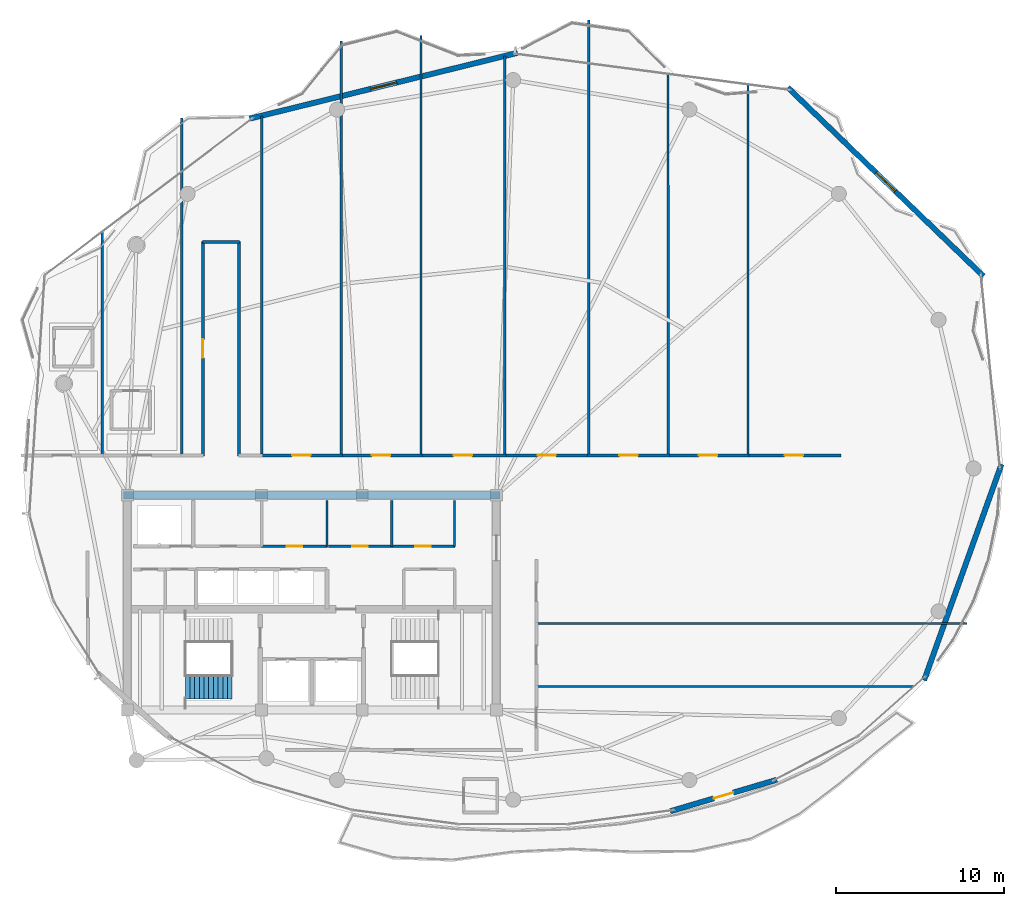
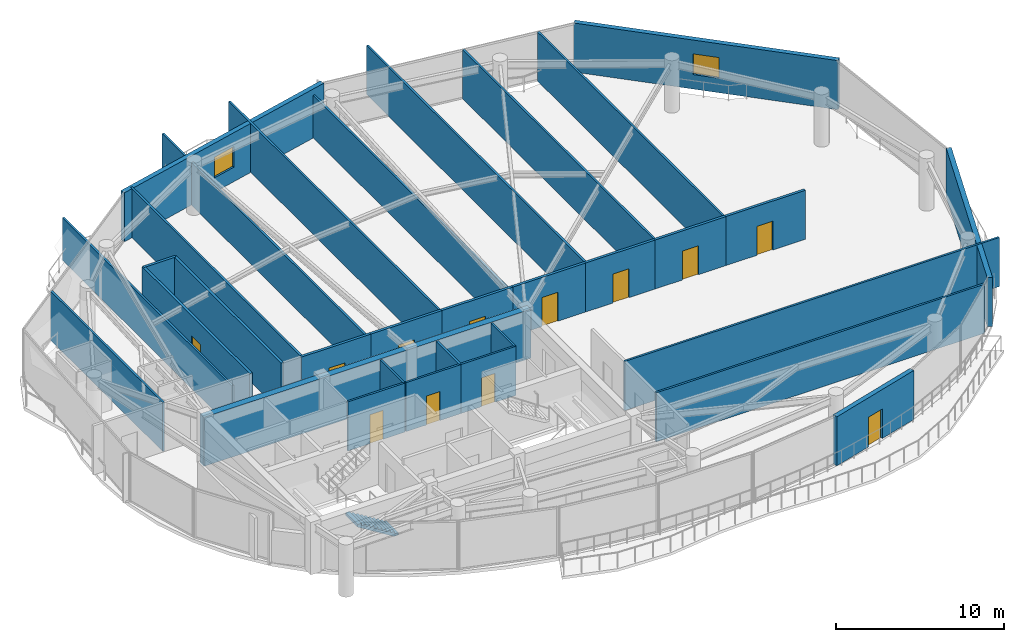
# One storey, part 25 of 29: 32 walls, 12 doors, 2 windows, 1 stair flight, 14 openings, 1 element without a shape of its own.
"""IFC4 building model written with IfcOpenShell, lengths in metres."""

from ifc_helpers import new_model, si_unit, direction, frame, frame_2d, origin, place, context, subcontext, project, spatial, polyline, rectangle, outline, extrude, material, layer, layer_set, type_object, element, fill, aggregate, save


model = new_model("IFC4")

# Units and contexts
model_context = context("Model", 3, precision=1e-05, world=origin(), true_north=direction((0.0, 1.0)))
body_context = subcontext(model_context, "Body", "Model", "MODEL_VIEW")
ifc_project = project(units=[si_unit("LENGTHUNIT", "METRE"), si_unit("AREAUNIT", "SQUARE_METRE"), si_unit("VOLUMEUNIT", "CUBIC_METRE"), si_unit("PLANEANGLEUNIT", "RADIAN"), si_unit("MASSUNIT", "GRAM", prefix="KILO")], contexts=[model_context])

# Site, building, storey
site_placement = place(None, origin())
site = spatial("IfcSite", under=ifc_project, at=site_placement, CompositionType="ELEMENT")
building_placement = place(site_placement, origin())
building = spatial("IfcBuilding", under=site, at=building_placement, Name="Kazevale Care Tower and Concert Hall", CompositionType="ELEMENT")
storey_placement = place(building_placement, frame((0.0, 0.0, 262.39990234375)))
storey = spatial("IfcBuildingStorey", under=building, at=storey_placement, Name="L69", CompositionType="ELEMENT", Elevation=262.39990234375)

# Wall, opening, door
ifc_material_1 = material(Name="Acoustic Gypsum on Steel Stud", Category="steel")
ifc_layer_1 = layer(ifc_material_1, 0.139892578125)
ifc_layer_set_1 = layer_set([ifc_layer_1], Name="Acoustic Gypsum on Steel Stud")
wall_type_1 = type_object("IfcWallType", Name="Acoustic Care & Suite Partition 140", PredefinedType="PARTITIONING", material=ifc_layer_set_1)
wall_1_placement = place(storey_placement, frame((30.0, 33.35009765625, 0.0), z_axis=(0.0, 0.0, 1.0), x_axis=(1.0, 0.0, 0.0)))
wall_1 = element("IfcWall", 1, at=wall_1_placement, inside=storey, type_object=wall_type_1, Name="wall:L69:c_rpl2_s", PredefinedType="PARTITIONING", context=body_context, shape_type="SweptSolid", body=[
    extrude(rectangle(XDim=3.919921875, YDim=0.139892578125, at=frame_2d((1.9599609375, 0.0))), origin(), (0.0, 0.0, 1.0), 3.56005859375),
])
opening_1_placement = place(wall_1_placement, frame((1.5, 0.0, 0.0)))
opening_1 = element("IfcOpeningElement", 2, at=opening_1_placement, cuts=wall_1, Name="Opening ID-900", PredefinedType="OPENING", context=body_context, shape_type="SweptSolid", body=[
    extrude(rectangle(XDim=0.919921875, YDim=2.10009765625, at=frame_2d((0.4599609375, 1.050048828125))), frame((0.0, 0.079833984375, 0.0), z_axis=(0.0, -1.0, 0.0), x_axis=(1.0, 0.0, 0.0)), (0.0, 0.0, 1.0), 0.159912109375),
])
ifc_material_2 = material(Name="Oak Timber Fire Leaf", Category="wood")
door_type_1 = type_object("IfcDoorType", Name="Bathroom & Service Door 920x2100", OperationType="NOTDEFINED", PredefinedType="DOOR", material=ifc_material_2)
door_1_placement = place(opening_1_placement, origin())
door_1 = element("IfcDoor", 3, at=door_1_placement, inside=storey, type_object=door_type_1, Name="door:L69:d_rpl2", OperationType="SINGLE_SWING_RIGHT", OverallHeight=2.10009765625, OverallWidth=0.919921875, PredefinedType="DOOR", context=body_context, shape_type="SweptSolid", body=[
    extrude(rectangle(XDim=0.919921875, YDim=2.10009765625, at=frame_2d((0.4599609375, 1.050048828125))), frame((0.0, 0.02490234375, 0.0), z_axis=(0.0, -1.0, 0.0), x_axis=(1.0, 0.0, 0.0)), (0.0, 0.0, 1.0), 0.050048828125),
])
fill(opening_1, door_1)

# Wall
wall_2_placement = place(storey_placement, frame((33.89990234375, 33.35009765625, 0.0), z_axis=(0.0, 0.0, 1.0), x_axis=(0.0, 1.0, 0.0)))
element("IfcWall", 4, at=wall_2_placement, inside=storey, type_object=wall_type_1, Name="wall:L69:c_rpl_e", PredefinedType="PARTITIONING", context=body_context, shape_type="SweptSolid", body=[
    extrude(rectangle(XDim=2.75, YDim=0.139892578125, at=frame_2d((1.375, 0.0))), origin(), (0.0, 0.0, 1.0), 3.56005859375),
])

# Wall, opening, door
wall_3_placement = place(storey_placement, frame((33.97998046875, 33.35009765625, 0.0), z_axis=(0.0, 0.0, 1.0), x_axis=(1.0, 0.0, 0.0)))
wall_3 = element("IfcWall", 5, at=wall_3_placement, inside=storey, type_object=wall_type_1, Name="wall:L69:c_rpm1_s", PredefinedType="PARTITIONING", context=body_context, shape_type="SweptSolid", body=[
    extrude(rectangle(XDim=3.77001953125, YDim=0.139892578125, at=frame_2d((1.885009765625, 0.0))), origin(), (0.0, 0.0, 1.0), 3.56005859375),
])
opening_2_placement = place(wall_3_placement, frame((1.425048828125, 0.0, 0.0)))
opening_2 = element("IfcOpeningElement", 6, at=opening_2_placement, cuts=wall_3, Name="Opening ID-900", PredefinedType="OPENING", context=body_context, shape_type="SweptSolid", body=[
    extrude(rectangle(XDim=0.919921875, YDim=2.10009765625, at=frame_2d((0.4599609375, 1.050048828125))), frame((0.0, 0.079833984375, 0.0), z_axis=(0.0, -1.0, 0.0), x_axis=(1.0, 0.0, 0.0)), (0.0, 0.0, 1.0), 0.159912109375),
])
door_2_placement = place(opening_2_placement, origin())
door_2 = element("IfcDoor", 7, at=door_2_placement, inside=storey, type_object=door_type_1, Name="door:L69:d_rpm1", OperationType="SINGLE_SWING_LEFT", OverallHeight=2.10009765625, OverallWidth=0.919921875, PredefinedType="DOOR", context=body_context, shape_type="SweptSolid", body=[
    extrude(rectangle(XDim=0.919921875, YDim=2.10009765625, at=frame_2d((0.4599609375, 1.050048828125))), frame((0.0, 0.02490234375, 0.0), z_axis=(0.0, -1.0, 0.0), x_axis=(1.0, 0.0, 0.0)), (0.0, 0.0, 1.0), 0.050048828125),
])
fill(opening_2, door_2)

wall_4_placement = place(storey_placement, frame((37.75, 33.35009765625, 0.0), z_axis=(0.0, 0.0, 1.0), x_axis=(1.0, 0.0, 0.0)))
wall_4 = element("IfcWall", 8, at=wall_4_placement, inside=storey, type_object=wall_type_1, Name="wall:L69:c_rpm2_s", PredefinedType="PARTITIONING", context=body_context, shape_type="SweptSolid", body=[
    extrude(rectangle(XDim=3.77001953125, YDim=0.139892578125, at=frame_2d((1.885009765625, 0.0))), origin(), (0.0, 0.0, 1.0), 3.56005859375),
])
opening_3_placement = place(wall_4_placement, frame((1.425048828125, 0.0, 0.0)))
opening_3 = element("IfcOpeningElement", 9, at=opening_3_placement, cuts=wall_4, Name="Opening ID-900", PredefinedType="OPENING", context=body_context, shape_type="SweptSolid", body=[
    extrude(rectangle(XDim=0.919921875, YDim=2.10009765625, at=frame_2d((0.4599609375, 1.050048828125))), frame((0.0, 0.079833984375, 0.0), z_axis=(0.0, -1.0, 0.0), x_axis=(1.0, 0.0, 0.0)), (0.0, 0.0, 1.0), 0.159912109375),
])
door_3_placement = place(opening_3_placement, origin())
door_3 = element("IfcDoor", 10, at=door_3_placement, inside=storey, type_object=door_type_1, Name="door:L69:d_rpm2", OperationType="SINGLE_SWING_RIGHT", OverallHeight=2.10009765625, OverallWidth=0.919921875, PredefinedType="DOOR", context=body_context, shape_type="SweptSolid", body=[
    extrude(rectangle(XDim=0.919921875, YDim=2.10009765625, at=frame_2d((0.4599609375, 1.050048828125))), frame((0.0, 0.02490234375, 0.0), z_axis=(0.0, -1.0, 0.0), x_axis=(1.0, 0.0, 0.0)), (0.0, 0.0, 1.0), 0.050048828125),
])
fill(opening_3, door_3)

# Walls
for number, where, z_axis, x_axis, name in (
    (11, (37.75, 33.35009765625, 0.0), (0.0, 0.0, 1.0), (0.0, 1.0, 0.0), "wall:L69:c_rpm_m"),
    (12, (41.5, 33.35009765625, 0.0), (0.0, 0.0, 1.0), (0.0, 1.0, 0.0), "wall:L69:c_rpm_e"),
):
    element("IfcWall", number, at=place(storey_placement, frame(where, z_axis=z_axis, x_axis=x_axis)), inside=storey, type_object=wall_type_1, Name=name, PredefinedType="PARTITIONING", context=body_context, shape_type="SweptSolid", body=[
        extrude(rectangle(XDim=2.75, YDim=0.139892578125, at=frame_2d((1.375, 0.0))), origin(), (0.0, 0.0, 1.0), 3.56005859375),
    ])
wall_5_placement = place(storey_placement, frame((20.5, 52.094482421875, 0.0), z_axis=(0.0, 0.0, 1.0), x_axis=(0.0, -1.0, 0.0)))
element("IfcWall", 13, at=wall_5_placement, inside=storey, type_object=wall_type_1, Name="wall:L69:auto_020", PredefinedType="PARTITIONING", context=body_context, shape_type="SweptSolid", body=[
    extrude(rectangle(XDim=13.349365234375, YDim=0.139892578125, at=frame_2d((6.6748046875, 0.0))), origin(), (0.0, 0.0, 1.0), 3.56005859375),
])
wall_6_placement = place(storey_placement, frame((25.25, 58.89208984375, 0.0), z_axis=(0.0, 0.0, 1.0), x_axis=(0.0, -1.0, 0.0)))
element("IfcWall", 14, at=wall_6_placement, inside=storey, type_object=wall_type_1, Name="wall:L69:auto_021", PredefinedType="PARTITIONING", context=body_context, shape_type="SweptSolid", body=[
    extrude(rectangle(XDim=20.14697265625, YDim=0.139892578125, at=frame_2d((10.073486328125, 0.0))), origin(), (0.0, 0.0, 1.0), 3.090087890625),
])
wall_7_placement = place(storey_placement, frame((30.0, 59.015625, 0.0), z_axis=(0.0, 0.0, 1.0), x_axis=(0.0, -1.0, 0.0)))
element("IfcWall", 15, at=wall_7_placement, inside=storey, type_object=wall_type_1, Name="wall:L69:auto_022", PredefinedType="PARTITIONING", context=body_context, shape_type="SweptSolid", body=[
    extrude(rectangle(XDim=20.2705078125, YDim=0.139892578125, at=frame_2d((10.13525390625, 0.0))), origin(), (0.0, 0.0, 1.0), 3.56005859375),
])
wall_8_placement = place(storey_placement, frame((34.75, 63.486083984375, 0.0), z_axis=(0.0, 0.0, 1.0), x_axis=(0.0, -1.0, 0.0)))
element("IfcWall", 16, at=wall_8_placement, inside=storey, type_object=wall_type_1, Name="wall:L69:auto_023", PredefinedType="PARTITIONING", context=body_context, shape_type="SweptSolid", body=[
    extrude(rectangle(XDim=24.740966796875, YDim=0.139892578125, at=frame_2d((12.37060546875, 0.0))), origin(), (0.0, 0.0, 1.0), 3.090087890625),
])
wall_9_placement = place(storey_placement, frame((39.5, 63.802978515625, 0.0), z_axis=(0.0, 0.0, 1.0), x_axis=(0.0, -1.0, 0.0)))
element("IfcWall", 17, at=wall_9_placement, inside=storey, type_object=wall_type_1, Name="wall:L69:auto_024", PredefinedType="PARTITIONING", context=body_context, shape_type="SweptSolid", body=[
    extrude(rectangle(XDim=25.057861328125, YDim=0.139892578125, at=frame_2d((12.52880859375, 0.0))), origin(), (0.0, 0.0, 1.0), 3.56005859375),
])
wall_10_placement = place(storey_placement, frame((44.5, 62.5771484375, 0.0), z_axis=(0.0, 0.0, 1.0), x_axis=(0.0, -1.0, 0.0)))
element("IfcWall", 18, at=wall_10_placement, inside=storey, type_object=wall_type_1, Name="wall:L69:auto_025", PredefinedType="PARTITIONING", context=body_context, shape_type="SweptSolid", body=[
    extrude(rectangle(XDim=23.83203125, YDim=0.139892578125, at=frame_2d((11.916015625, 0.0))), origin(), (0.0, 0.0, 1.0), 3.090087890625),
])
wall_11_placement = place(storey_placement, frame((49.5, 64.73095703125, 0.0), z_axis=(0.0, 0.0, 1.0), x_axis=(0.0, -1.0, 0.0)))
element("IfcWall", 19, at=wall_11_placement, inside=storey, type_object=wall_type_1, Name="wall:L69:auto_026", PredefinedType="PARTITIONING", context=body_context, shape_type="SweptSolid", body=[
    extrude(rectangle(XDim=25.98583984375, YDim=0.139892578125, at=frame_2d((12.992919921875, 0.0))), origin(), (0.0, 0.0, 1.0), 3.56005859375),
])
wall_12_placement = place(storey_placement, frame((54.2255859375, 61.5029296875, 0.0), z_axis=(0.0, 0.0, 1.0), x_axis=(0.001072776588, -0.999999424575, 0.0)))
element("IfcWall", 20, at=wall_12_placement, inside=storey, type_object=wall_type_1, Name="wall:L69:auto_027", PredefinedType="PARTITIONING", context=body_context, shape_type="SweptSolid", body=[
    extrude(rectangle(XDim=22.7578125, YDim=0.139892578125, at=frame_2d((11.37890625, 0.0))), origin(), (0.0, 0.0, 1.0), 3.56005859375),
])
wall_13_placement = place(storey_placement, frame((59.0, 60.8740234375, 0.0), z_axis=(0.0, 0.0, 1.0), x_axis=(0.0, -1.0, 0.0)))
element("IfcWall", 21, at=wall_13_placement, inside=storey, type_object=wall_type_1, Name="wall:L69:auto_028", PredefinedType="PARTITIONING", context=body_context, shape_type="SweptSolid", body=[
    extrude(rectangle(XDim=22.12890625, YDim=0.139892578125, at=frame_2d((11.064453125, 0.0))), origin(), (0.0, 0.0, 1.0), 3.56005859375),
])
wall_14_placement = place(storey_placement, frame((46.344970703125, 25.0, 0.0), z_axis=(0.0, 0.0, 1.0), x_axis=(1.0, 0.0, 0.0)))
element("IfcWall", 22, at=wall_14_placement, inside=storey, type_object=wall_type_1, Name="wall:L69:auto_029", PredefinedType="PARTITIONING", context=body_context, shape_type="SweptSolid", body=[
    extrude(rectangle(XDim=22.53857421875, YDim=0.139892578125, at=frame_2d((11.269287109375, 0.0))), origin(), (0.0, 0.0, 1.0), 3.56005859375),
])
wall_15_placement = place(storey_placement, frame((46.344970703125, 28.75, 0.0), z_axis=(0.0, 0.0, 1.0), x_axis=(1.0, 0.0, 0.0)))
element("IfcWall", 23, at=wall_15_placement, inside=storey, type_object=wall_type_1, Name="wall:L69:auto_030", PredefinedType="PARTITIONING", context=body_context, shape_type="SweptSolid", body=[
    extrude(rectangle(XDim=25.720947265625, YDim=0.139892578125, at=frame_2d((12.8603515625, 0.0))), origin(), (0.0, 0.0, 1.0), 3.56005859375),
])
ifc_material_3 = material(Name="Concrete C50", Category="concrete")
ifc_layer_2 = layer(ifc_material_3, 0.449951171875)
ifc_layer_set_2 = layer_set([ifc_layer_2], Name="Concrete C50")
wall_type_2 = type_object("IfcWallType", Name="Core Shear Wall 450 C50", PredefinedType="SHEAR", material=ifc_layer_set_2)
wall_16_placement = place(storey_placement, frame((21.77490234375, 36.39990234375, 0.0), z_axis=(0.0, 0.0, 1.0), x_axis=(1.0, 0.0, 0.0)))
element("IfcWall", 24, at=wall_16_placement, inside=storey, type_object=wall_type_2, Name="wall:L69:core:N", PredefinedType="SHEAR", context=body_context, shape_type="SweptSolid", body=[
    extrude(rectangle(XDim=22.4501953125, YDim=0.449951171875, at=frame_2d((11.22509765625, 0.0))), origin(), (0.0, 0.0, 1.0), 3.56005859375),
])

# Wall, opening, door
ifc_material_4 = material(Name="Concrete C40 and Acoustic Gypsum", Category="concrete")
ifc_layer_3 = layer(ifc_material_4, 0.179931640625)
ifc_layer_set_3 = layer_set([ifc_layer_3], Name="Concrete C40 and Acoustic Gypsum")
wall_type_3 = type_object("IfcWallType", Name="Fire-Rated Corridor & Party Wall 180", PredefinedType="PARTITIONING", material=ifc_layer_set_3)
wall_17_placement = place(storey_placement, frame((26.5, 38.7451171875, 0.0), z_axis=(0.0, 0.0, 1.0), x_axis=(0.0, 1.0, 0.0)))
wall_17 = element("IfcWall", 25, at=wall_17_placement, inside=storey, type_object=wall_type_3, Name="wall:L69:auto_003", PredefinedType="PARTITIONING", context=body_context, shape_type="SweptSolid", body=[
    extrude(rectangle(XDim=12.784912109375, YDim=0.179931640625, at=frame_2d((6.392578125, 0.0))), origin(), (0.0, 0.0, 1.0), 3.56005859375),
])
opening_4_placement = place(wall_17_placement, frame((5.843017578125, 0.0, 0.0)))
opening_4 = element("IfcOpeningElement", 26, at=opening_4_placement, cuts=wall_17, Name="Opening ID-1100", PredefinedType="OPENING", context=body_context, shape_type="SweptSolid", body=[
    extrude(rectangle(XDim=1.10009765625, YDim=2.10009765625, at=frame_2d((0.550048828125, 1.050048828125))), frame((0.0, 0.099853515625, 0.0), z_axis=(0.0, -1.0, 0.0), x_axis=(1.0, 0.0, 0.0)), (0.0, 0.0, 1.0), 0.199951171875),
])
door_type_2 = type_object("IfcDoorType", Name="Care Bedroom Accessible Door 1100x2100", OperationType="NOTDEFINED", PredefinedType="DOOR", material=ifc_material_2)
door_4_placement = place(opening_4_placement, origin())
door_4 = element("IfcDoor", 27, at=door_4_placement, inside=storey, type_object=door_type_2, Name="door:L69:ad_003", OperationType="SINGLE_SWING_LEFT", OverallHeight=2.10009765625, OverallWidth=1.10009765625, PredefinedType="DOOR", context=body_context, shape_type="SweptSolid", body=[
    extrude(rectangle(XDim=1.10009765625, YDim=2.10009765625, at=frame_2d((0.550048828125, 1.050048828125))), frame((0.0, 0.02490234375, 0.0), z_axis=(0.0, -1.0, 0.0), x_axis=(1.0, 0.0, 0.0)), (0.0, 0.0, 1.0), 0.050048828125),
])
fill(opening_4, door_4)

# Walls
wall_18_placement = place(storey_placement, frame((28.64990234375, 51.530029296875, 0.0), z_axis=(0.0, 0.0, 1.0), x_axis=(0.0, -1.0, 0.0)))
element("IfcWall", 28, at=wall_18_placement, inside=storey, type_object=wall_type_3, Name="wall:L69:auto_004", PredefinedType="PARTITIONING", context=body_context, shape_type="SweptSolid", body=[
    extrude(rectangle(XDim=12.784912109375, YDim=0.179931640625, at=frame_2d((6.392578125, 0.0))), origin(), (0.0, 0.0, 1.0), 3.56005859375),
])
wall_19_placement = place(storey_placement, frame((26.469970703125, 51.5, 0.0), z_axis=(0.0, 0.0, 1.0), x_axis=(1.0, 0.0, 0.0)))
element("IfcWall", 29, at=wall_19_placement, inside=storey, type_object=wall_type_3, Name="wall:L69:auto_005", PredefinedType="PARTITIONING", context=body_context, shape_type="SweptSolid", body=[
    extrude(rectangle(XDim=2.2099609375, YDim=0.179931640625, at=frame_2d((1.10498046875, 0.0))), origin(), (0.0, 0.0, 1.0), 3.56005859375),
])

# Wall, opening, door
wall_20_placement = place(storey_placement, frame((29.93505859375, 38.77490234375, 0.0), z_axis=(0.0, 0.0, 1.0), x_axis=(1.0, 0.0, 0.0)))
wall_20 = element("IfcWall", 30, at=wall_20_placement, inside=storey, type_object=wall_type_3, Name="wall:L69:auto_008", PredefinedType="PARTITIONING", context=body_context, shape_type="SweptSolid", body=[
    extrude(rectangle(XDim=4.8798828125, YDim=0.179931640625, at=frame_2d((2.43994140625, 0.0))), origin(), (0.0, 0.0, 1.0), 3.56005859375),
])
opening_5_placement = place(wall_20_placement, frame((1.889892578125, 0.0, 0.0)))
opening_5 = element("IfcOpeningElement", 31, at=opening_5_placement, cuts=wall_20, Name="Opening ID-1100", PredefinedType="OPENING", context=body_context, shape_type="SweptSolid", body=[
    extrude(rectangle(XDim=1.10009765625, YDim=2.10009765625, at=frame_2d((0.550048828125, 1.050048828125))), frame((0.0, 0.099853515625, 0.0), z_axis=(0.0, -1.0, 0.0), x_axis=(1.0, 0.0, 0.0)), (0.0, 0.0, 1.0), 0.199951171875),
])
door_5_placement = place(opening_5_placement, origin())
door_5 = element("IfcDoor", 32, at=door_5_placement, inside=storey, type_object=door_type_2, Name="door:L69:ad_008", OperationType="SINGLE_SWING_LEFT", OverallHeight=2.10009765625, OverallWidth=1.10009765625, PredefinedType="DOOR", context=body_context, shape_type="SweptSolid", body=[
    extrude(rectangle(XDim=1.10009765625, YDim=2.10009765625, at=frame_2d((0.550048828125, 1.050048828125))), frame((0.0, 0.02490234375, 0.0), z_axis=(0.0, -1.0, 0.0), x_axis=(1.0, 0.0, 0.0)), (0.0, 0.0, 1.0), 0.050048828125),
])
fill(opening_5, door_5)

wall_21_placement = place(storey_placement, frame((34.68505859375, 38.77490234375, 0.0), z_axis=(0.0, 0.0, 1.0), x_axis=(1.0, 0.0, 0.0)))
wall_21 = element("IfcWall", 33, at=wall_21_placement, inside=storey, type_object=wall_type_3, Name="wall:L69:auto_009", PredefinedType="PARTITIONING", context=body_context, shape_type="SweptSolid", body=[
    extrude(rectangle(XDim=4.8798828125, YDim=0.179931640625, at=frame_2d((2.43994140625, 0.0))), origin(), (0.0, 0.0, 1.0), 3.56005859375),
])
opening_6_placement = place(wall_21_placement, frame((1.889892578125, 0.0, 0.0)))
opening_6 = element("IfcOpeningElement", 34, at=opening_6_placement, cuts=wall_21, Name="Opening ID-1100", PredefinedType="OPENING", context=body_context, shape_type="SweptSolid", body=[
    extrude(rectangle(XDim=1.10009765625, YDim=2.10009765625, at=frame_2d((0.550048828125, 1.050048828125))), frame((0.0, 0.099853515625, 0.0), z_axis=(0.0, -1.0, 0.0), x_axis=(1.0, 0.0, 0.0)), (0.0, 0.0, 1.0), 0.199951171875),
])
door_6_placement = place(opening_6_placement, origin())
door_6 = element("IfcDoor", 35, at=door_6_placement, inside=storey, type_object=door_type_2, Name="door:L69:ad_009", OperationType="SINGLE_SWING_LEFT", OverallHeight=2.10009765625, OverallWidth=1.10009765625, PredefinedType="DOOR", context=body_context, shape_type="SweptSolid", body=[
    extrude(rectangle(XDim=1.10009765625, YDim=2.10009765625, at=frame_2d((0.550048828125, 1.050048828125))), frame((0.0, 0.02490234375, 0.0), z_axis=(0.0, -1.0, 0.0), x_axis=(1.0, 0.0, 0.0)), (0.0, 0.0, 1.0), 0.050048828125),
])
fill(opening_6, door_6)

wall_22_placement = place(storey_placement, frame((39.43505859375, 38.77490234375, 0.0), z_axis=(0.0, 0.0, 1.0), x_axis=(1.0, 0.0, 0.0)))
wall_22 = element("IfcWall", 36, at=wall_22_placement, inside=storey, type_object=wall_type_3, Name="wall:L69:auto_010", PredefinedType="PARTITIONING", context=body_context, shape_type="SweptSolid", body=[
    extrude(rectangle(XDim=5.1298828125, YDim=0.179931640625, at=frame_2d((2.56494140625, 0.0))), origin(), (0.0, 0.0, 1.0), 3.56005859375),
])
opening_7_placement = place(wall_22_placement, frame((2.014892578125, 0.0, 0.0)))
opening_7 = element("IfcOpeningElement", 37, at=opening_7_placement, cuts=wall_22, Name="Opening ID-1100", PredefinedType="OPENING", context=body_context, shape_type="SweptSolid", body=[
    extrude(rectangle(XDim=1.10009765625, YDim=2.10009765625, at=frame_2d((0.550048828125, 1.050048828125))), frame((0.0, 0.099853515625, 0.0), z_axis=(0.0, -1.0, 0.0), x_axis=(1.0, 0.0, 0.0)), (0.0, 0.0, 1.0), 0.199951171875),
])
door_7_placement = place(opening_7_placement, origin())
door_7 = element("IfcDoor", 38, at=door_7_placement, inside=storey, type_object=door_type_2, Name="door:L69:ad_010", OperationType="SINGLE_SWING_LEFT", OverallHeight=2.10009765625, OverallWidth=1.10009765625, PredefinedType="DOOR", context=body_context, shape_type="SweptSolid", body=[
    extrude(rectangle(XDim=1.10009765625, YDim=2.10009765625, at=frame_2d((0.550048828125, 1.050048828125))), frame((0.0, 0.02490234375, 0.0), z_axis=(0.0, -1.0, 0.0), x_axis=(1.0, 0.0, 0.0)), (0.0, 0.0, 1.0), 0.050048828125),
])
fill(opening_7, door_7)

wall_23_placement = place(storey_placement, frame((44.43505859375, 38.77490234375, 0.0), z_axis=(0.0, 0.0, 1.0), x_axis=(1.0, 0.0, 0.0)))
wall_23 = element("IfcWall", 39, at=wall_23_placement, inside=storey, type_object=wall_type_3, Name="wall:L69:auto_011", PredefinedType="PARTITIONING", context=body_context, shape_type="SweptSolid", body=[
    extrude(rectangle(XDim=5.1298828125, YDim=0.179931640625, at=frame_2d((2.56494140625, 0.0))), origin(), (0.0, 0.0, 1.0), 3.56005859375),
])
opening_8_placement = place(wall_23_placement, frame((2.014892578125, 0.0, 0.0)))
opening_8 = element("IfcOpeningElement", 40, at=opening_8_placement, cuts=wall_23, Name="Opening ID-1100", PredefinedType="OPENING", context=body_context, shape_type="SweptSolid", body=[
    extrude(rectangle(XDim=1.10009765625, YDim=2.10009765625, at=frame_2d((0.550048828125, 1.050048828125))), frame((0.0, 0.099853515625, 0.0), z_axis=(0.0, -1.0, 0.0), x_axis=(1.0, 0.0, 0.0)), (0.0, 0.0, 1.0), 0.199951171875),
])
door_8_placement = place(opening_8_placement, origin())
door_8 = element("IfcDoor", 41, at=door_8_placement, inside=storey, type_object=door_type_2, Name="door:L69:ad_011", OperationType="SINGLE_SWING_LEFT", OverallHeight=2.10009765625, OverallWidth=1.10009765625, PredefinedType="DOOR", context=body_context, shape_type="SweptSolid", body=[
    extrude(rectangle(XDim=1.10009765625, YDim=2.10009765625, at=frame_2d((0.550048828125, 1.050048828125))), frame((0.0, 0.02490234375, 0.0), z_axis=(0.0, -1.0, 0.0), x_axis=(1.0, 0.0, 0.0)), (0.0, 0.0, 1.0), 0.050048828125),
])
fill(opening_8, door_8)

wall_24_placement = place(storey_placement, frame((49.43505859375, 38.77490234375, 0.0), z_axis=(0.0, 0.0, 1.0), x_axis=(1.0, 0.0, 0.0)))
wall_24 = element("IfcWall", 42, at=wall_24_placement, inside=storey, type_object=wall_type_3, Name="wall:L69:auto_012", PredefinedType="PARTITIONING", context=body_context, shape_type="SweptSolid", body=[
    extrude(rectangle(XDim=4.8798828125, YDim=0.179931640625, at=frame_2d((2.43994140625, 0.0))), origin(), (0.0, 0.0, 1.0), 3.56005859375),
])
opening_9_placement = place(wall_24_placement, frame((1.889892578125, 0.0, 0.0)))
opening_9 = element("IfcOpeningElement", 43, at=opening_9_placement, cuts=wall_24, Name="Opening ID-1100", PredefinedType="OPENING", context=body_context, shape_type="SweptSolid", body=[
    extrude(rectangle(XDim=1.10009765625, YDim=2.10009765625, at=frame_2d((0.550048828125, 1.050048828125))), frame((0.0, 0.099853515625, 0.0), z_axis=(0.0, -1.0, 0.0), x_axis=(1.0, 0.0, 0.0)), (0.0, 0.0, 1.0), 0.199951171875),
])
door_9_placement = place(opening_9_placement, origin())
door_9 = element("IfcDoor", 44, at=door_9_placement, inside=storey, type_object=door_type_2, Name="door:L69:ad_012", OperationType="SINGLE_SWING_LEFT", OverallHeight=2.10009765625, OverallWidth=1.10009765625, PredefinedType="DOOR", context=body_context, shape_type="SweptSolid", body=[
    extrude(rectangle(XDim=1.10009765625, YDim=2.10009765625, at=frame_2d((0.550048828125, 1.050048828125))), frame((0.0, 0.02490234375, 0.0), z_axis=(0.0, -1.0, 0.0), x_axis=(1.0, 0.0, 0.0)), (0.0, 0.0, 1.0), 0.050048828125),
])
fill(opening_9, door_9)

wall_25_placement = place(storey_placement, frame((54.18505859375, 38.77490234375, 0.0), z_axis=(0.0, 0.0, 1.0), x_axis=(1.0, 0.0, 0.0)))
wall_25 = element("IfcWall", 45, at=wall_25_placement, inside=storey, type_object=wall_type_3, Name="wall:L69:auto_013", PredefinedType="PARTITIONING", context=body_context, shape_type="SweptSolid", body=[
    extrude(rectangle(XDim=4.8798828125, YDim=0.179931640625, at=frame_2d((2.43994140625, 0.0))), origin(), (0.0, 0.0, 1.0), 3.56005859375),
])
opening_10_placement = place(wall_25_placement, frame((1.889892578125, 0.0, 0.0)))
opening_10 = element("IfcOpeningElement", 46, at=opening_10_placement, cuts=wall_25, Name="Opening ID-1100", PredefinedType="OPENING", context=body_context, shape_type="SweptSolid", body=[
    extrude(rectangle(XDim=1.10009765625, YDim=2.10009765625, at=frame_2d((0.550048828125, 1.050048828125))), frame((0.0, 0.099853515625, 0.0), z_axis=(0.0, -1.0, 0.0), x_axis=(1.0, 0.0, 0.0)), (0.0, 0.0, 1.0), 0.199951171875),
])
door_10_placement = place(opening_10_placement, origin())
door_10 = element("IfcDoor", 47, at=door_10_placement, inside=storey, type_object=door_type_2, Name="door:L69:ad_013", OperationType="SINGLE_SWING_LEFT", OverallHeight=2.10009765625, OverallWidth=1.10009765625, PredefinedType="DOOR", context=body_context, shape_type="SweptSolid", body=[
    extrude(rectangle(XDim=1.10009765625, YDim=2.10009765625, at=frame_2d((0.550048828125, 1.050048828125))), frame((0.0, 0.02490234375, 0.0), z_axis=(0.0, -1.0, 0.0), x_axis=(1.0, 0.0, 0.0)), (0.0, 0.0, 1.0), 0.050048828125),
])
fill(opening_10, door_10)

wall_26_placement = place(storey_placement, frame((58.93505859375, 38.77490234375, 0.0), z_axis=(0.0, 0.0, 1.0), x_axis=(1.0, 0.0, 0.0)))
wall_26 = element("IfcWall", 48, at=wall_26_placement, inside=storey, type_object=wall_type_3, Name="wall:L69:auto_014", PredefinedType="PARTITIONING", context=body_context, shape_type="SweptSolid", body=[
    extrude(rectangle(XDim=5.594970703125, YDim=0.179931640625, at=frame_2d((2.79736328125, 0.0))), origin(), (0.0, 0.0, 1.0), 3.56005859375),
])
opening_11_placement = place(wall_26_placement, frame((2.2470703125, 0.0, 0.0)))
opening_11 = element("IfcOpeningElement", 49, at=opening_11_placement, cuts=wall_26, Name="Opening ID-1100", PredefinedType="OPENING", context=body_context, shape_type="SweptSolid", body=[
    extrude(rectangle(XDim=1.10009765625, YDim=2.10009765625, at=frame_2d((0.550048828125, 1.050048828125))), frame((0.0, 0.099853515625, 0.0), z_axis=(0.0, -1.0, 0.0), x_axis=(1.0, 0.0, 0.0)), (0.0, 0.0, 1.0), 0.199951171875),
])
door_11_placement = place(opening_11_placement, origin())
door_11 = element("IfcDoor", 50, at=door_11_placement, inside=storey, type_object=door_type_2, Name="door:L69:ad_014", OperationType="SINGLE_SWING_LEFT", OverallHeight=2.10009765625, OverallWidth=1.10009765625, PredefinedType="DOOR", context=body_context, shape_type="SweptSolid", body=[
    extrude(rectangle(XDim=1.10009765625, YDim=2.10009765625, at=frame_2d((0.550048828125, 1.050048828125))), frame((0.0, 0.02490234375, 0.0), z_axis=(0.0, -1.0, 0.0), x_axis=(1.0, 0.0, 0.0)), (0.0, 0.0, 1.0), 0.050048828125),
])
fill(opening_11, door_11)

# Wall
ifc_material_5 = material(Name="Concrete C40 with Honed Limestone Cladding", Category="masonry")
ifc_layer_4 = layer(ifc_material_5, 0.320068359375)
ifc_layer_set_4 = layer_set([ifc_layer_4], Name="Concrete C40 with Honed Limestone Cladding")
wall_type_4 = type_object("IfcWallType", Name="Tower Honed Limestone Spandrel Wall 320", PredefinedType="STANDARD", material=ifc_layer_set_4)
wall_27_placement = place(storey_placement, frame((74.10791015625, 38.2451171875, 0.0), z_axis=(0.0, 0.0, 1.0), x_axis=(-0.337073777429, -0.941478235845, 0.0)))
element("IfcWall", 51, at=wall_27_placement, inside=storey, type_object=wall_type_4, Name="wall:cw:L69:f01", PredefinedType="STANDARD", context=body_context, shape_type="SweptSolid", body=[
    extrude(rectangle(XDim=13.67333984375, YDim=0.320068359375, at=frame_2d((6.836669921875, 0.0))), origin(), (0.0, 0.0, 1.0), 3.56005859375),
])

# Wall, opening, door
wall_28_placement = place(storey_placement, frame((60.718017578125, 19.43896484375, 0.0), z_axis=(0.0, 0.0, 1.0), x_axis=(-0.959026574291, -0.283316130503, 0.0)))
wall_28 = element("IfcWall", 52, at=wall_28_placement, inside=storey, type_object=wall_type_4, Name="wall:L69:bal_host", PredefinedType="STANDARD", context=body_context, shape_type="SweptSolid", body=[
    extrude(rectangle(XDim=6.6318359375, YDim=0.320068359375, at=frame_2d((3.31591796875, 0.0))), origin(), (0.0, 0.0, 1.0), 3.56005859375),
])
opening_12_placement = place(wall_28_placement, frame((2.716064453125, 0.0, 0.0)))
opening_12 = element("IfcOpeningElement", 53, at=opening_12_placement, cuts=wall_28, Name="Opening BD-1200", PredefinedType="OPENING", context=body_context, shape_type="SweptSolid", body=[
    extrude(rectangle(XDim=1.199951171875, YDim=2.14990234375, at=frame_2d((0.60009765625, 1.074951171875))), frame((0.0, 0.169921875, 0.0), z_axis=(0.0, -1.0, 0.0), x_axis=(1.0, 0.0, 0.0)), (0.0, 0.0, 1.0), 0.340087890625),
])
ifc_material_6 = material(Name="Aluminium 6063-T6 and Low-E Glass", Category="aluminium")
door_type_3 = type_object("IfcDoorType", Name="Sheltered Balcony Glazed Door 1200x2150", OperationType="NOTDEFINED", PredefinedType="DOOR", material=ifc_material_6)
door_12_placement = place(opening_12_placement, origin())
door_12 = element("IfcDoor", 54, at=door_12_placement, inside=storey, type_object=door_type_3, Name="door:L69:BD-1", OperationType="SINGLE_SWING_LEFT", OverallHeight=2.14990234375, OverallWidth=1.199951171875, PredefinedType="DOOR", context=body_context, shape_type="SweptSolid", body=[
    extrude(rectangle(XDim=1.199951171875, YDim=2.14990234375, at=frame_2d((0.60009765625, 1.074951171875))), frame((0.0, 0.02490234375, 0.0), z_axis=(0.0, -1.0, 0.0), x_axis=(1.0, 0.0, 0.0)), (0.0, 0.0, 1.0), 0.050048828125),
])
fill(opening_12, door_12)

# Wall, opening, window
wall_29_placement = place(storey_placement, frame((29.29296875, 58.85205078125, 0.0), z_axis=(0.0, 0.0, 1.0), x_axis=(0.971137749742, 0.238519330508, 0.0)))
wall_29 = element("IfcWall", 55, at=wall_29_placement, inside=storey, type_object=wall_type_4, Name="wall:L69:cbox:15", PredefinedType="STANDARD", context=body_context, shape_type="SweptSolid", body=[
    extrude(rectangle(XDim=16.442626953125, YDim=0.320068359375, at=frame_2d((8.22119140625, 0.0))), origin(), (0.0, 0.0, 1.0), 3.56005859375),
])
opening_13_placement = place(wall_29_placement, frame((7.4208984375, 0.0, 1.050048828125)))
opening_13 = element("IfcOpeningElement", 56, at=opening_13_placement, cuts=wall_29, Name="Opening WIN-1", PredefinedType="OPENING", context=body_context, shape_type="SweptSolid", body=[
    extrude(rectangle(XDim=1.60009765625, YDim=1.5, at=frame_2d((0.800048828125, 0.75))), frame((0.0, 0.169921875, 0.0), z_axis=(0.0, -1.0, 0.0), x_axis=(1.0, 0.0, 0.0)), (0.0, 0.0, 1.0), 0.340087890625),
])
ifc_material_7 = material(Name="Low-E Laminated Glass", Category="glass")
window_type = type_object("IfcWindowType", Name="Convex Box Deep-Set Window 1600x1500", PartitioningType="DOUBLE_PANEL_VERTICAL", PredefinedType="WINDOW", material=ifc_material_7)
window_1_placement = place(opening_13_placement, origin())
window_1 = element("IfcWindow", 57, at=window_1_placement, inside=storey, type_object=window_type, Name="win:L69:cbox:15", OverallHeight=1.5, OverallWidth=1.60009765625, PartitioningType="SINGLE_PANEL", PredefinedType="WINDOW", context=body_context, shape_type="SweptSolid", body=[
    extrude(rectangle(XDim=1.60009765625, YDim=1.5, at=frame_2d((0.800048828125, 0.75))), frame((0.0, 0.030029296875, 0.0), z_axis=(0.0, -1.0, 0.0), x_axis=(1.0, 0.0, 0.0)), (0.0, 0.0, 1.0), 0.06005859375),
])
fill(opening_13, window_1)

wall_30_placement = place(storey_placement, frame((61.37109375, 60.7041015625, 0.0), z_axis=(0.0, 0.0, 1.0), x_axis=(0.719819827488, -0.694160943842, 0.0)))
wall_30 = element("IfcWall", 58, at=wall_30_placement, inside=storey, type_object=wall_type_4, Name="wall:L69:cbox:17", PredefinedType="STANDARD", context=body_context, shape_type="SweptSolid", body=[
    extrude(rectangle(XDim=16.203857421875, YDim=0.320068359375, at=frame_2d((8.10205078125, 0.0))), origin(), (0.0, 0.0, 1.0), 3.56005859375),
])
opening_14_placement = place(wall_30_placement, frame((7.302001953125, 0.0, 1.050048828125)))
opening_14 = element("IfcOpeningElement", 59, at=opening_14_placement, cuts=wall_30, Name="Opening WIN-1", PredefinedType="OPENING", context=body_context, shape_type="SweptSolid", body=[
    extrude(rectangle(XDim=1.60009765625, YDim=1.5, at=frame_2d((0.800048828125, 0.75))), frame((0.0, 0.169921875, 0.0), z_axis=(0.0, -1.0, 0.0), x_axis=(1.0, 0.0, 0.0)), (0.0, 0.0, 1.0), 0.340087890625),
])
window_2_placement = place(opening_14_placement, origin())
window_2 = element("IfcWindow", 60, at=window_2_placement, inside=storey, type_object=window_type, Name="win:L69:cbox:17", OverallHeight=1.5, OverallWidth=1.60009765625, PartitioningType="SINGLE_PANEL", PredefinedType="WINDOW", context=body_context, shape_type="SweptSolid", body=[
    extrude(rectangle(XDim=1.60009765625, YDim=1.5, at=frame_2d((0.800048828125, 0.75))), frame((0.0, 0.030029296875, 0.0), z_axis=(0.0, -1.0, 0.0), x_axis=(1.0, 0.0, 0.0)), (0.0, 0.0, 1.0), 0.06005859375),
])
fill(opening_14, window_2)

# Stair, stair flight
ifc_material_8 = material(Name="Concrete C40", Category="concrete")
stair_type = type_object("IfcStairType", Name="Exit Stair Assembly ST1-U", PredefinedType="HALF_TURN_STAIR", material=ifc_material_8)
stair_placement = place(storey_placement, origin())
stair = element("IfcStair", 61, at=stair_placement, inside=storey, type_object=stair_type, Name="stair:L69:ST1", PredefinedType="HALF_TURN_STAIR")
ifc_layer_5 = layer(ifc_material_8, 0.159912109375)
ifc_layer_set_5 = layer_set([ifc_layer_5], Name="Concrete C40")
stair_flight_type = type_object("IfcStairFlightType", Name="Exit Stair Flight ST1-U", PredefinedType="STRAIGHT", material=ifc_layer_set_5)
stair_flight_placement = place(storey_placement, frame((28.25, 24.969970703125, 0.0), z_axis=(0.0, 0.0, 1.0), x_axis=(-1.0, 0.0, 0.0)))
stair_flight = element("IfcStairFlight", 62, at=stair_flight_placement, type_object=stair_flight_type, Name="ST1-U flight 1", NumberOfRisers=11, NumberOfTreads=10, PredefinedType="STRAIGHT", RiserHeight=0.172727, TreadLength=0.28, context=body_context, shape_type="SweptSolid", body=[
    extrude(outline(polyline([(0.0, 0.0), (0.0, 0.172607421875), (0.280029296875, 0.172607421875), (0.280029296875, 0.345458984375), (0.56005859375, 0.345458984375), (0.56005859375, 0.51806640625), (0.840087890625, 0.51806640625), (0.840087890625, 0.69091796875), (1.1201171875, 0.69091796875), (1.1201171875, 0.863525390625), (1.39990234375, 0.863525390625), (1.39990234375, 1.036376953125), (1.679931640625, 1.036376953125), (1.679931640625, 1.208984375), (1.9599609375, 1.208984375), (1.9599609375, 1.3818359375), (2.239990234375, 1.3818359375), (2.239990234375, 1.554443359375), (2.52001953125, 1.554443359375), (2.52001953125, 1.727294921875), (2.800048828125, 1.727294921875), (2.800048828125, 1.89990234375), (2.800048828125, 1.539306640625), (0.3046875, 0.0), (0.0, 0.0)])), frame((0.0, 0.719970703125, 0.0), z_axis=(0.0, -1.0, 0.0), x_axis=(1.0, 0.0, 0.0)), (0.0, 0.0, 1.0), 1.43994140625),
])
aggregate(stair, [stair_flight])

save(model, "model.ifc")
